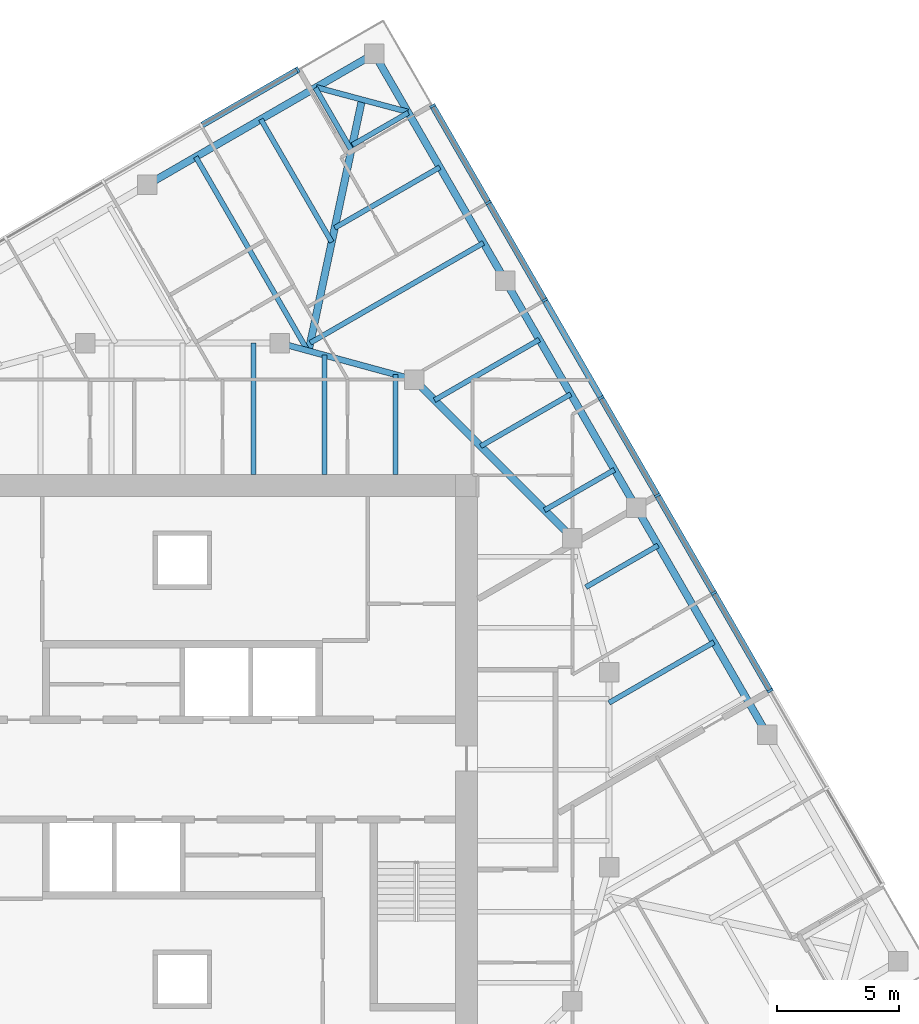
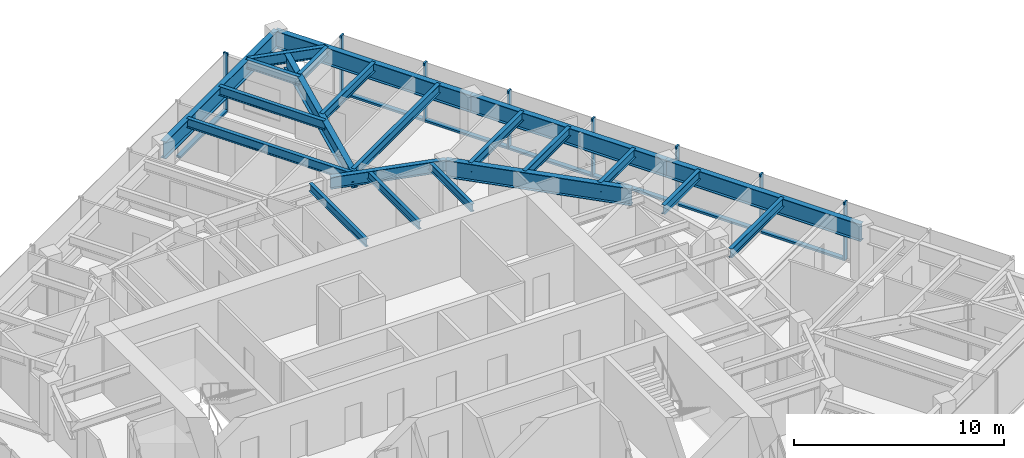
# One storey, part 5 of 13: 22 beams, 15 members, 2 elements without a shape of their own.
"""IFC4 building model written with IfcOpenShell, lengths in metres."""

from ifc_helpers import new_model, si_unit, direction, frame, origin, origin_2d, place, context, subcontext, project, spatial, rectangle, i_section, extrude, material, material_profile, profile_set, type_object, element, aggregate, save


model = new_model("IFC4")

# Units and contexts
model_context = context("Model", 3, precision=1e-05, world=origin(), true_north=direction((0.0, 1.0)))
body_context = subcontext(model_context, "Body", "Model", "MODEL_VIEW")
ifc_project = project(units=[si_unit("LENGTHUNIT", "METRE"), si_unit("AREAUNIT", "SQUARE_METRE"), si_unit("VOLUMEUNIT", "CUBIC_METRE"), si_unit("PLANEANGLEUNIT", "RADIAN"), si_unit("MASSUNIT", "GRAM", prefix="KILO")], contexts=[model_context])

# Site, building, storey
site_placement = place(None, origin())
site = spatial("IfcSite", under=ifc_project, at=site_placement, CompositionType="ELEMENT")
building_placement = place(site_placement, origin())
building = spatial("IfcBuilding", under=site, at=building_placement, Name="Torsade Residences", CompositionType="ELEMENT")
storey_placement = place(building_placement, frame((0.0, 0.0, 225.199951171875)))
storey = spatial("IfcBuildingStorey", under=building, at=storey_placement, Name="L62", CompositionType="ELEMENT", Elevation=225.199951171875)

# Beams
ifc_material_1 = material(Name="Steel grade 300", Category="steel")
ifc_material_profile_1 = material_profile(ifc_material_1, i_section(OverallWidth=0.300048828125, OverallDepth=0.89990234375, WebThickness=0.011962890625, FlangeThickness=0.02490234375, at=origin_2d()), Name="900WB175")
ifc_profile_set_1 = profile_set([ifc_material_profile_1], Name="Steel grade 300")
beam_type_1 = type_object("IfcBeamType", Name="CORNER GIRDER 900WB175", PredefinedType="BEAM", material=ifc_profile_set_1)
beam_1_placement = place(storey_placement, frame((47.3662109375, 57.4912109375, 2.800048828125), z_axis=(-0.20806427425, -0.978115155685, 0.0), x_axis=(0.978115155685, -0.20806427425, 0.0)))
element("IfcBeam", 1, at=beam_1_placement, inside=storey, type_object=beam_type_1, Name="Corner girder 09 L63", PredefinedType="BEAM", context=body_context, shape_type="SweptSolid", body=[
    extrude(i_section(OverallWidth=0.300048828125, OverallDepth=0.89990234375, WebThickness=0.011962890625, FlangeThickness=0.02490234375, at=origin_2d()), origin(), (0.0, 0.0, 1.0), 10.541748046875),
])
ifc_material_2 = material(Name="Steel grade 300", Category="steel")
ifc_material_profile_2 = material_profile(ifc_material_2, i_section(OverallWidth=0.22802734375, OverallDepth=0.60205078125, WebThickness=0.010498046875, FlangeThickness=0.014892578125, FilletRadius=0.013916015625, at=origin_2d()), Name="610UB101")
ifc_profile_set_2 = profile_set([ifc_material_profile_2], Name="Steel grade 300")
beam_type_2 = type_object("IfcBeamType", Name="CORNER TRIMMER 610UB101", PredefinedType="BEAM", material=ifc_profile_set_2)
beam_2_placement = place(storey_placement, frame((45.488037109375, 57.99462890625, 2.948974609375), z_axis=(0.965924794002, -0.258822897619, 0.0), x_axis=(0.258822897619, 0.965924794002, 0.0)))
element("IfcBeam", 2, at=beam_2_placement, inside=storey, type_object=beam_type_2, Name="Corner trimmer 09 L63", PredefinedType="BEAM", context=body_context, shape_type="SweptSolid", body=[
    extrude(i_section(OverallWidth=0.22802734375, OverallDepth=0.60205078125, WebThickness=0.010498046875, FlangeThickness=0.014892578125, FilletRadius=0.013916015625, at=origin_2d()), origin(), (0.0, 0.0, 1.0), 3.88916015625),
])
ifc_material_3 = material(Name="Steel grade 300", Category="steel")
ifc_material_profile_3 = material_profile(ifc_material_3, i_section(OverallWidth=0.300048828125, OverallDepth=1.0, WebThickness=0.01611328125, FlangeThickness=0.028076171875, at=origin_2d()), Name="1000WB215")
ifc_profile_set_3 = profile_set([ifc_material_profile_3], Name="Steel grade 300")
beam_type_3 = type_object("IfcBeamType", Name="EDGE BEAM 1000WB215", PredefinedType="SPANDREL", material=ifc_profile_set_3)
for number, where, z_axis, x_axis, name in (
    (3, (63.99462890625, 31.440185546875, 2.75), (-0.499998333915, 0.866026365697, 0.0), (-0.866026365697, -0.499998333915, 0.0), "Edge beam 06 L63"),
    (4, (58.61962890625, 40.75, 2.75), (-0.499998333915, 0.866026365697, 0.0), (-0.866026365697, -0.499998333915, 0.0), "Edge beam 07 L63"),
    (5, (53.24462890625, 50.059814453125, 2.75), (-0.499998333915, 0.866026365697, 0.0), (-0.866026365697, -0.499998333915, 0.0), "Edge beam 08 L63"),
    (6, (47.86962890625, 59.36962890625, 2.75), (-0.866026365697, -0.499998333915, 0.0), (0.499998333915, -0.866026365697, 0.0), "Edge beam 09 L63"),
):
    element("IfcBeam", number, at=place(storey_placement, frame(where, z_axis=z_axis, x_axis=x_axis)), inside=storey, type_object=beam_type_3, Name=name, PredefinedType="SPANDREL", context=body_context, shape_type="SweptSolid", body=[
        extrude(i_section(OverallWidth=0.300048828125, OverallDepth=1.0, WebThickness=0.01611328125, FlangeThickness=0.028076171875, at=origin_2d()), origin(), (0.0, 0.0, 1.0), 10.75),
    ])

# Curtain wall, members
ifc_material_4 = material(Name="Aluminium and glass", Category="aluminium")
curtain_wall_type = type_object("IfcCurtainWallType", Name="FRITTED GLASS CURTAIN WALL HIGH ZONE", PredefinedType="NOTDEFINED", material=ifc_material_4)
curtain_wall_1_placement = place(storey_placement, origin())
curtain_wall_1 = element("IfcCurtainWall", 7, at=curtain_wall_1_placement, inside=storey, type_object=curtain_wall_type, Name="Curtain wall L62 face 4", PredefinedType="NOTDEFINED")
ifc_material_5 = material(Name="Aluminium mullion", Category="aluminium")
ifc_material_profile_4 = material_profile(ifc_material_5, rectangle(XDim=0.25, YDim=0.10009765625, at=origin_2d()), Name="HIGH ZONE CURTAIN WALL MULLION 250x100")
ifc_profile_set_4 = profile_set([ifc_material_profile_4], Name="Aluminium mullion")
member_type_1 = type_object("IfcMemberType", Name="HIGH ZONE CURTAIN WALL MULLION 250x100", PredefinedType="MULLION", material=ifc_profile_set_4)
member_1_placement = place(storey_placement, frame((64.110595703125, 33.2392578125, 0.0), z_axis=(0.0, 0.0, 1.0), x_axis=(-0.866025404186, -0.499999999305, 0.0)))
member_1 = element("IfcMember", 8, at=member_1_placement, type_object=member_type_1, Name="Mullion 3", PredefinedType="MULLION", context=body_context, shape_type="SweptSolid", body=[
    extrude(rectangle(XDim=0.25, YDim=0.10009765625, at=origin_2d()), origin(), (0.0, 0.0, 1.0), 3.400146484375),
])
member_2_placement = place(storey_placement, frame((61.798095703125, 37.24462890625, 0.0), z_axis=(0.0, 0.0, 1.0), x_axis=(-0.866025404186, -0.499999999305, 0.0)))
member_2 = element("IfcMember", 9, at=member_2_placement, type_object=member_type_1, Name="Mullion 4", PredefinedType="MULLION", context=body_context, shape_type="SweptSolid", body=[
    extrude(rectangle(XDim=0.25, YDim=0.10009765625, at=origin_2d()), origin(), (0.0, 0.0, 1.0), 3.400146484375),
])
member_3_placement = place(storey_placement, frame((59.485595703125, 41.25, 0.0), z_axis=(0.0, 0.0, 1.0), x_axis=(-0.866025404186, -0.499999999305, 0.0)))
member_3 = element("IfcMember", 10, at=member_3_placement, type_object=member_type_1, Name="Mullion 5", PredefinedType="MULLION", context=body_context, shape_type="SweptSolid", body=[
    extrude(rectangle(XDim=0.25, YDim=0.10009765625, at=origin_2d()), origin(), (0.0, 0.0, 1.0), 3.400146484375),
])
member_4_placement = place(storey_placement, frame((57.173095703125, 45.25537109375, 0.0), z_axis=(0.0, 0.0, 1.0), x_axis=(-0.866025404186, -0.499999999305, 0.0)))
member_4 = element("IfcMember", 11, at=member_4_placement, type_object=member_type_1, Name="Mullion 6", PredefinedType="MULLION", context=body_context, shape_type="SweptSolid", body=[
    extrude(rectangle(XDim=0.25, YDim=0.10009765625, at=origin_2d()), origin(), (0.0, 0.0, 1.0), 3.400146484375),
])
member_5_placement = place(storey_placement, frame((54.860595703125, 49.2607421875, 0.0), z_axis=(0.0, 0.0, 1.0), x_axis=(-0.866025404186, -0.499999999305, 0.0)))
member_5 = element("IfcMember", 12, at=member_5_placement, type_object=member_type_1, Name="Mullion 7", PredefinedType="MULLION", context=body_context, shape_type="SweptSolid", body=[
    extrude(rectangle(XDim=0.25, YDim=0.10009765625, at=origin_2d()), origin(), (0.0, 0.0, 1.0), 3.400146484375),
])
member_6_placement = place(storey_placement, frame((52.548095703125, 53.26611328125, 0.0), z_axis=(0.0, 0.0, 1.0), x_axis=(-0.866025404186, -0.499999999305, 0.0)))
member_6 = element("IfcMember", 13, at=member_6_placement, type_object=member_type_1, Name="Mullion 8", PredefinedType="MULLION", context=body_context, shape_type="SweptSolid", body=[
    extrude(rectangle(XDim=0.25, YDim=0.10009765625, at=origin_2d()), origin(), (0.0, 0.0, 1.0), 3.400146484375),
])
member_7_placement = place(storey_placement, frame((50.260498046875, 57.228271484375, 0.0), z_axis=(0.0, 0.0, 1.0), x_axis=(-0.866025404186, -0.499999999305, 0.0)))
member_7 = element("IfcMember", 14, at=member_7_placement, type_object=member_type_1, Name="Mullion 9", PredefinedType="MULLION", context=body_context, shape_type="SweptSolid", body=[
    extrude(rectangle(XDim=0.25, YDim=0.10009765625, at=origin_2d()), origin(), (0.0, 0.0, 1.0), 3.400146484375),
])

# Curtain wall, member
curtain_wall_2_placement = place(storey_placement, origin())
curtain_wall_2 = element("IfcCurtainWall", 15, at=curtain_wall_2_placement, inside=storey, type_object=curtain_wall_type, Name="Curtain wall L62 face 7", PredefinedType="NOTDEFINED")
member_8_placement = place(storey_placement, frame((44.728271484375, 58.710693359375, 0.0), z_axis=(0.0, 0.0, 1.0), x_axis=(0.499999999305, -0.866025404186, 0.0)))
member_8 = element("IfcMember", 16, at=member_8_placement, type_object=member_type_1, Name="Mullion 1", PredefinedType="MULLION", context=body_context, shape_type="SweptSolid", body=[
    extrude(rectangle(XDim=0.25, YDim=0.10009765625, at=origin_2d()), origin(), (0.0, 0.0, 1.0), 3.400146484375),
])

# Member
ifc_material_6 = material(Name="Aluminium transom", Category="aluminium")
ifc_material_profile_5 = material_profile(ifc_material_6, rectangle(XDim=0.25, YDim=0.1201171875, at=origin_2d()), Name="HIGH ZONE CURTAIN WALL TRANSOM 250x120")
ifc_profile_set_5 = profile_set([ifc_material_profile_5], Name="Aluminium transom")
member_type_2 = type_object("IfcMemberType", Name="HIGH ZONE CURTAIN WALL TRANSOM 250x120", PredefinedType="USERDEFINED", material=ifc_profile_set_5)
member_9_placement = place(storey_placement, frame((64.085693359375, 33.282470703125, 0.06005859375), z_axis=(-0.500015112013, 0.866016678684, 0.0), x_axis=(-0.866016678684, -0.500015112013, 0.0)))
member_9 = element("IfcMember", 17, at=member_9_placement, type_object=member_type_2, Name="Transom 3.1", ObjectType="TRANSOM", PredefinedType="USERDEFINED", context=body_context, shape_type="SweptSolid", body=[
    extrude(rectangle(XDim=0.25, YDim=0.1201171875, at=origin_2d()), origin(), (0.0, 0.0, 1.0), 4.525146484375),
])

member_10_placement = place(storey_placement, frame((61.773193359375, 37.287841796875, 0.06005859375), z_axis=(-0.500015112013, 0.866016678684, 0.0), x_axis=(-0.866016678684, -0.500015112013, 0.0)))
member_10 = element("IfcMember", 18, at=member_10_placement, type_object=member_type_2, Name="Transom 4.1", ObjectType="TRANSOM", PredefinedType="USERDEFINED", context=body_context, shape_type="SweptSolid", body=[
    extrude(rectangle(XDim=0.25, YDim=0.1201171875, at=origin_2d()), origin(), (0.0, 0.0, 1.0), 4.525146484375),
])

member_11_placement = place(storey_placement, frame((59.460693359375, 41.293212890625, 0.06005859375), z_axis=(-0.500015112013, 0.866016678684, 0.0), x_axis=(-0.866016678684, -0.500015112013, 0.0)))
member_11 = element("IfcMember", 19, at=member_11_placement, type_object=member_type_2, Name="Transom 5.1", ObjectType="TRANSOM", PredefinedType="USERDEFINED", context=body_context, shape_type="SweptSolid", body=[
    extrude(rectangle(XDim=0.25, YDim=0.1201171875, at=origin_2d()), origin(), (0.0, 0.0, 1.0), 4.525146484375),
])

member_12_placement = place(storey_placement, frame((57.148193359375, 45.298583984375, 0.06005859375), z_axis=(-0.500015112013, 0.866016678684, 0.0), x_axis=(-0.866016678684, -0.500015112013, 0.0)))
member_12 = element("IfcMember", 20, at=member_12_placement, type_object=member_type_2, Name="Transom 6.1", ObjectType="TRANSOM", PredefinedType="USERDEFINED", context=body_context, shape_type="SweptSolid", body=[
    extrude(rectangle(XDim=0.25, YDim=0.1201171875, at=origin_2d()), origin(), (0.0, 0.0, 1.0), 4.525146484375),
])

member_13_placement = place(storey_placement, frame((54.835693359375, 49.303955078125, 0.06005859375), z_axis=(-0.500015112013, 0.866016678684, 0.0), x_axis=(-0.866016678684, -0.500015112013, 0.0)))
member_13 = element("IfcMember", 21, at=member_13_placement, type_object=member_type_2, Name="Transom 7.1", ObjectType="TRANSOM", PredefinedType="USERDEFINED", context=body_context, shape_type="SweptSolid", body=[
    extrude(rectangle(XDim=0.25, YDim=0.1201171875, at=origin_2d()), origin(), (0.0, 0.0, 1.0), 4.525146484375),
])

member_14_placement = place(storey_placement, frame((52.523193359375, 53.309326171875, 0.06005859375), z_axis=(-0.50000580312, 0.866022053326, 0.0), x_axis=(-0.866022053326, -0.50000580312, 0.0)))
member_14 = element("IfcMember", 22, at=member_14_placement, type_object=member_type_2, Name="Transom 8.1", ObjectType="TRANSOM", PredefinedType="USERDEFINED", context=body_context, shape_type="SweptSolid", body=[
    extrude(rectangle(XDim=0.25, YDim=0.1201171875, at=origin_2d()), origin(), (0.0, 0.0, 1.0), 4.47509765625),
])

aggregate(curtain_wall_1, [member_1, member_2, member_3, member_4, member_5, member_6, member_7, member_9, member_10, member_11, member_12, member_13, member_14])

member_15_placement = place(storey_placement, frame((44.684814453125, 58.685546875, 0.06005859375), z_axis=(-0.866022053326, -0.50000580312, 0.0), x_axis=(0.50000580312, -0.866022053326, 0.0)))
member_15 = element("IfcMember", 23, at=member_15_placement, type_object=member_type_2, Name="Transom 1.1", ObjectType="TRANSOM", PredefinedType="USERDEFINED", context=body_context, shape_type="SweptSolid", body=[
    extrude(rectangle(XDim=0.25, YDim=0.1201171875, at=origin_2d()), origin(), (0.0, 0.0, 1.0), 4.47509765625),
])

aggregate(curtain_wall_2, [member_8, member_15])

# Beams
ifc_material_7 = material(Name="Steel grade 300", Category="steel")
ifc_material_profile_6 = material_profile(ifc_material_7, i_section(OverallWidth=0.18994140625, OverallDepth=0.4541015625, WebThickness=0.008544921875, FlangeThickness=0.0126953125, FilletRadius=0.011474609375, at=origin_2d()), Name="460UB67.1")
ifc_profile_set_6 = profile_set([ifc_material_profile_6], Name="Steel grade 300")
beam_type_4 = type_object("IfcBeamType", Name="INNER FLOOR BEAM 460UB67.1", PredefinedType="JOIST", material=ifc_profile_set_6)
beam_3_placement = place(storey_placement, frame((42.91259765625, 42.10009765625, 3.02294921875), z_axis=(0.0, 1.0, 0.0), x_axis=(-1.0, 0.0, 0.0)))
element("IfcBeam", 24, at=beam_3_placement, inside=storey, type_object=beam_type_4, Name="Inner floor beam IN05 L63", PredefinedType="JOIST", context=body_context, shape_type="SweptSolid", body=[
    extrude(i_section(OverallWidth=0.18994140625, OverallDepth=0.4541015625, WebThickness=0.008544921875, FlangeThickness=0.0126953125, FilletRadius=0.011474609375, at=origin_2d()), origin(), (0.0, 0.0, 1.0), 5.39990234375),
])
beam_4_placement = place(storey_placement, frame((45.824951171875, 42.10009765625, 3.02294921875), z_axis=(0.0, 1.0, 0.0), x_axis=(-1.0, 0.0, 0.0)))
element("IfcBeam", 25, at=beam_4_placement, inside=storey, type_object=beam_type_4, Name="Inner floor beam IN06 L63", PredefinedType="JOIST", context=body_context, shape_type="SweptSolid", body=[
    extrude(i_section(OverallWidth=0.18994140625, OverallDepth=0.4541015625, WebThickness=0.008544921875, FlangeThickness=0.0126953125, FilletRadius=0.011474609375, at=origin_2d()), origin(), (0.0, 0.0, 1.0), 4.902099609375),
])
beam_5_placement = place(storey_placement, frame((48.737548828125, 42.10009765625, 3.02294921875), z_axis=(0.0, 1.0, 0.0), x_axis=(-1.0, 0.0, 0.0)))
element("IfcBeam", 26, at=beam_5_placement, inside=storey, type_object=beam_type_4, Name="Inner floor beam IN07 L63", PredefinedType="JOIST", context=body_context, shape_type="SweptSolid", body=[
    extrude(i_section(OverallWidth=0.18994140625, OverallDepth=0.4541015625, WebThickness=0.008544921875, FlangeThickness=0.0126953125, FilletRadius=0.011474609375, at=origin_2d()), origin(), (0.0, 0.0, 1.0), 4.10791015625),
])
ifc_material_8 = material(Name="Steel grade 300", Category="steel")
ifc_material_profile_7 = material_profile(ifc_material_8, i_section(OverallWidth=0.300048828125, OverallDepth=1.0, WebThickness=0.01611328125, FlangeThickness=0.028076171875, at=origin_2d()), Name="1000WB215")
ifc_profile_set_7 = profile_set([ifc_material_profile_7], Name="Steel grade 300")
beam_type_5 = type_object("IfcBeamType", Name="RING CORNER GIRDER 1000WB215", PredefinedType="BEAM", material=ifc_profile_set_7)
beam_6_placement = place(storey_placement, frame((56.0, 39.5, 2.75), z_axis=(-0.707106781187, 0.707106781187, 0.0), x_axis=(-0.707106781187, -0.707106781187, 0.0)))
element("IfcBeam", 27, at=beam_6_placement, inside=storey, type_object=beam_type_5, Name="Ring girder IR03 L63", PredefinedType="BEAM", context=body_context, shape_type="SweptSolid", body=[
    extrude(i_section(OverallWidth=0.300048828125, OverallDepth=1.0, WebThickness=0.01611328125, FlangeThickness=0.028076171875, at=origin_2d()), origin(), (0.0, 0.0, 1.0), 9.1923828125),
])
ifc_material_9 = material(Name="Steel grade 300", Category="steel")
ifc_material_profile_8 = material_profile(ifc_material_9, i_section(OverallWidth=0.25, OverallDepth=0.699951171875, WebThickness=0.010009765625, FlangeThickness=0.02001953125, at=origin_2d()), Name="700WB130")
ifc_profile_set_8 = profile_set([ifc_material_profile_8], Name="Steel grade 300")
beam_type_6 = type_object("IfcBeamType", Name="RING GIRDER 700WB130", PredefinedType="BEAM", material=ifc_profile_set_8)
beam_7_placement = place(storey_placement, frame((49.5, 46.0, 2.900146484375), z_axis=(-0.964763821238, 0.263117405792, 0.0), x_axis=(-0.263117405792, -0.964763821238, 0.0)))
element("IfcBeam", 28, at=beam_7_placement, inside=storey, type_object=beam_type_6, Name="Ring girder IR04 L63", PredefinedType="BEAM", context=body_context, shape_type="SweptSolid", body=[
    extrude(i_section(OverallWidth=0.25, OverallDepth=0.699951171875, WebThickness=0.010009765625, FlangeThickness=0.02001953125, at=origin_2d()), origin(), (0.0, 0.0, 1.0), 5.700927734375),
])
ifc_material_10 = material(Name="Steel grade 300", Category="steel")
ifc_material_profile_9 = material_profile(ifc_material_10, i_section(OverallWidth=0.208984375, OverallDepth=0.528076171875, WebThickness=0.009521484375, FlangeThickness=0.01318359375, FilletRadius=0.013916015625, at=origin_2d()), Name="530UB82.0")
ifc_profile_set_9 = profile_set([ifc_material_profile_9], Name="Steel grade 300")
beam_type_7 = type_object("IfcBeamType", Name="SECONDARY BEAM 530UB82.0", PredefinedType="JOIST", material=ifc_profile_set_9)
beam_8_placement = place(storey_placement, frame((61.80712890625, 35.22900390625, 2.986083984375), z_axis=(-0.866038443216, -0.499977414361, 0.0), x_axis=(0.499977414361, -0.866038443216, 0.0)))
element("IfcBeam", 29, at=beam_8_placement, inside=storey, type_object=beam_type_7, Name="Floor beam FE05 L63", PredefinedType="JOIST", context=body_context, shape_type="SweptSolid", body=[
    extrude(i_section(OverallWidth=0.208984375, OverallDepth=0.528076171875, WebThickness=0.009521484375, FlangeThickness=0.01318359375, FilletRadius=0.013916015625, at=origin_2d()), origin(), (0.0, 0.0, 1.0), 4.973388671875),
])
beam_9_placement = place(storey_placement, frame((59.515380859375, 39.198486328125, 2.986083984375), z_axis=(-0.866001587311, -0.500041249073, 0.0), x_axis=(0.500041249073, -0.866001587311, 0.0)))
element("IfcBeam", 30, at=beam_9_placement, inside=storey, type_object=beam_type_7, Name="Floor beam FE06 L63", PredefinedType="JOIST", context=body_context, shape_type="SweptSolid", body=[
    extrude(i_section(OverallWidth=0.208984375, OverallDepth=0.528076171875, WebThickness=0.009521484375, FlangeThickness=0.01318359375, FilletRadius=0.013916015625, at=origin_2d()), origin(), (0.0, 0.0, 1.0), 3.425048828125),
])
beam_10_placement = place(storey_placement, frame((57.7236328125, 42.301513671875, 2.986083984375), z_axis=(-0.866039541186, -0.499975512502, 0.0), x_axis=(0.499975512502, -0.866039541186, 0.0)))
element("IfcBeam", 31, at=beam_10_placement, inside=storey, type_object=beam_type_7, Name="Floor beam FE07 L63", PredefinedType="JOIST", context=body_context, shape_type="SweptSolid", body=[
    extrude(i_section(OverallWidth=0.208984375, OverallDepth=0.528076171875, WebThickness=0.009521484375, FlangeThickness=0.01318359375, FilletRadius=0.013916015625, at=origin_2d()), origin(), (0.0, 0.0, 1.0), 3.312744140625),
])
beam_11_placement = place(storey_placement, frame((55.93212890625, 45.40478515625, 2.986083984375), z_axis=(-0.866022880939, -0.500004369671, 0.0), x_axis=(0.500004369671, -0.866022880939, 0.0)))
element("IfcBeam", 32, at=beam_11_placement, inside=storey, type_object=beam_type_7, Name="Floor beam FE08 L63", PredefinedType="JOIST", context=body_context, shape_type="SweptSolid", body=[
    extrude(i_section(OverallWidth=0.208984375, OverallDepth=0.528076171875, WebThickness=0.009521484375, FlangeThickness=0.01318359375, FilletRadius=0.013916015625, at=origin_2d()), origin(), (0.0, 0.0, 1.0), 4.27294921875),
])
beam_12_placement = place(storey_placement, frame((54.640380859375, 47.64208984375, 2.986083984375), z_axis=(-0.866043933037, -0.49996790502, 0.0), x_axis=(0.49996790502, -0.866043933037, 0.0)))
element("IfcBeam", 33, at=beam_12_placement, inside=storey, type_object=beam_type_7, Name="Floor beam FE09 L63", PredefinedType="JOIST", context=body_context, shape_type="SweptSolid", body=[
    extrude(i_section(OverallWidth=0.208984375, OverallDepth=0.528076171875, WebThickness=0.009521484375, FlangeThickness=0.01318359375, FilletRadius=0.013916015625, at=origin_2d()), origin(), (0.0, 0.0, 1.0), 4.965087890625),
])
beam_13_placement = place(storey_placement, frame((52.3486328125, 51.611328125, 2.986083984375), z_axis=(-0.866030002502, -0.499992034702, 0.0), x_axis=(0.499992034702, -0.866030002502, 0.0)))
element("IfcBeam", 34, at=beam_13_placement, inside=storey, type_object=beam_type_7, Name="Floor beam FE10 L63", PredefinedType="JOIST", context=body_context, shape_type="SweptSolid", body=[
    extrude(i_section(OverallWidth=0.208984375, OverallDepth=0.528076171875, WebThickness=0.009521484375, FlangeThickness=0.01318359375, FilletRadius=0.013916015625, at=origin_2d()), origin(), (0.0, 0.0, 1.0), 8.205322265625),
])
beam_14_placement = place(storey_placement, frame((50.55712890625, 54.714599609375, 2.986083984375), z_axis=(-0.866043477274, -0.499968694491, 0.0), x_axis=(0.499968694491, -0.866043477274, 0.0)))
element("IfcBeam", 35, at=beam_14_placement, inside=storey, type_object=beam_type_7, Name="Floor beam FE11 L63", PredefinedType="JOIST", context=body_context, shape_type="SweptSolid", body=[
    extrude(i_section(OverallWidth=0.208984375, OverallDepth=0.528076171875, WebThickness=0.009521484375, FlangeThickness=0.01318359375, FilletRadius=0.013916015625, at=origin_2d()), origin(), (0.0, 0.0, 1.0), 4.977783203125),
])
beam_15_placement = place(storey_placement, frame((49.265380859375, 56.951904296875, 2.986083984375), z_axis=(-0.866041431316, -0.499972238474, 0.0), x_axis=(0.499972238474, -0.866041431316, 0.0)))
element("IfcBeam", 36, at=beam_15_placement, inside=storey, type_object=beam_type_7, Name="Floor beam FE12 L63", PredefinedType="JOIST", context=body_context, shape_type="SweptSolid", body=[
    extrude(i_section(OverallWidth=0.208984375, OverallDepth=0.528076171875, WebThickness=0.009521484375, FlangeThickness=0.01318359375, FilletRadius=0.013916015625, at=origin_2d()), origin(), (0.0, 0.0, 1.0), 2.651123046875),
])
beam_16_placement = place(storey_placement, frame((45.451904296875, 57.9736328125, 2.986083984375), z_axis=(0.500014013, -0.866017313224, 0.0), x_axis=(0.866017313224, 0.500014013, 0.0)))
element("IfcBeam", 37, at=beam_16_placement, inside=storey, type_object=beam_type_7, Name="Floor beam FN01 L63", PredefinedType="JOIST", context=body_context, shape_type="SweptSolid", body=[
    extrude(i_section(OverallWidth=0.208984375, OverallDepth=0.528076171875, WebThickness=0.009521484375, FlangeThickness=0.01318359375, FilletRadius=0.013916015625, at=origin_2d()), origin(), (0.0, 0.0, 1.0), 2.94775390625),
])
beam_17_placement = place(storey_placement, frame((43.214599609375, 56.68212890625, 2.986083984375), z_axis=(0.499990133118, -0.866031100357, 0.0), x_axis=(0.866031100357, 0.499990133118, 0.0)))
element("IfcBeam", 38, at=beam_17_placement, inside=storey, type_object=beam_type_7, Name="Floor beam FN02 L63", PredefinedType="JOIST", context=body_context, shape_type="SweptSolid", body=[
    extrude(i_section(OverallWidth=0.208984375, OverallDepth=0.528076171875, WebThickness=0.009521484375, FlangeThickness=0.01318359375, FilletRadius=0.013916015625, at=origin_2d()), origin(), (0.0, 0.0, 1.0), 5.81591796875),
])
beam_18_placement = place(storey_placement, frame((40.54443359375, 55.140380859375, 2.986083984375), z_axis=(0.500006393711, -0.866021712342, 0.0), x_axis=(0.866021712342, 0.500006393711, 0.0)))
element("IfcBeam", 39, at=beam_18_placement, inside=storey, type_object=beam_type_7, Name="Floor beam FN03 L63", PredefinedType="JOIST", context=body_context, shape_type="SweptSolid", body=[
    extrude(i_section(OverallWidth=0.208984375, OverallDepth=0.528076171875, WebThickness=0.009521484375, FlangeThickness=0.01318359375, FilletRadius=0.013916015625, at=origin_2d()), origin(), (0.0, 0.0, 1.0), 9.1796875),
])

save(model, "model.ifc")
